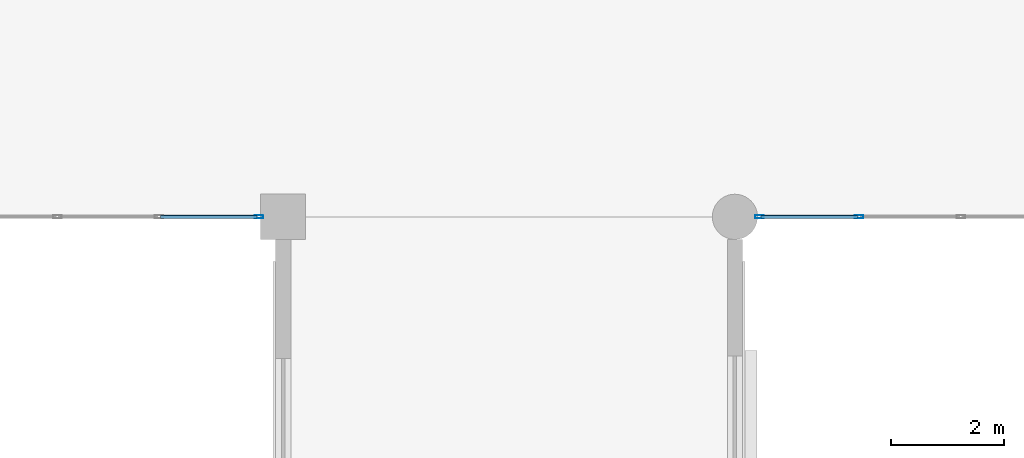
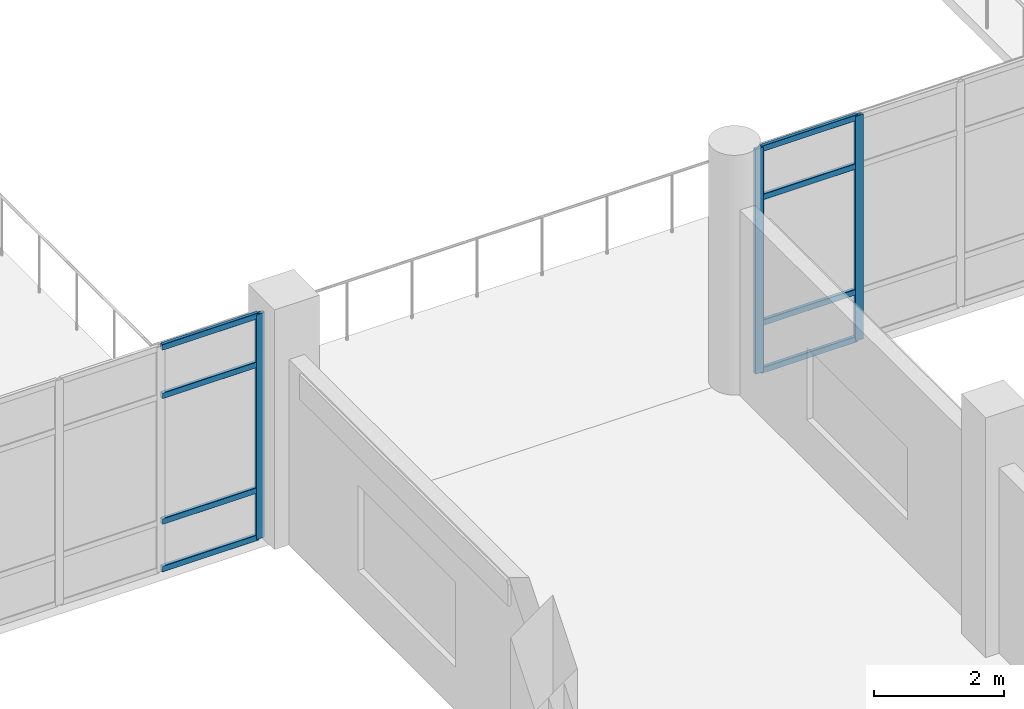
# One storey, part 12 of 42: 11 members, 2 elements without a shape of their own.
"""IFC4 building model written with IfcOpenShell, lengths in metres."""

import ifcopenshell
import ifcopenshell.guid

model = None  # the IFC model being written
_history = None  # IfcOwnerHistory: only IFC2X3 demands one
_inside = {}  # id of a spatial element -> (the spatial element, [elements in it])
_under = {}  # id of a project, library or spatial element -> (it, [spatial elements below it])
_declared = {}  # id of a project -> (the project, [libraries it declares])
_typed = {}  # id of a type object -> (the type object, [elements of that type])
_made_of = {}  # id of a material, layer set ... -> (it, [elements and type objects made of it])


def new_model(schema):
    """Start an empty IFC model of exactly this schema.

    Asked for "IFC4X3", IfcOpenShell would pick the latest addendum, in which some entities
    have other attributes; the version numbers below select the first issue.
    IFC2X3 requires an IfcOwnerHistory on every rooted entity: one is made here for all.
    """
    global model, _history
    if schema == "IFC4X3":
        model = ifcopenshell.file(schema_version=(4, 3, 0, 0))
    else:
        model = ifcopenshell.file(schema=schema)
    _inside.clear()
    _under.clear()
    _declared.clear()
    _typed.clear()
    _made_of.clear()
    _history = None
    if model.schema == "IFC2X3":
        org = make("IfcOrganization", Name="unknown")
        user = make(
            "IfcPersonAndOrganization",
            ThePerson=make("IfcPerson", FamilyName="unknown"),
            TheOrganization=org,
        )
        app = make(
            "IfcApplication",
            ApplicationDeveloper=org,
            Version="unknown",
            ApplicationFullName="unknown",
            ApplicationIdentifier="unknown",
        )
        _history = make(
            "IfcOwnerHistory",
            OwningUser=user,
            OwningApplication=app,
            ChangeAction="ADDED",
            CreationDate=0,
        )
    return model


def make(cls, **values):
    """One entity of the class cls with the attributes given. An attribute that is None is left unset."""
    return model.create_entity(
        cls, **{name: value for name, value in values.items() if value is not None}
    )


def rooted(cls, **values):
    """An entity with a GlobalId (a new one), such as an element, a storey or a relation."""
    return make(cls, GlobalId=ifcopenshell.guid.new(), OwnerHistory=_history, **values)


def si_unit(unit_type, name, prefix=None):
    """IfcSIUnit, for example si_unit("LENGTHUNIT", "METRE", prefix="MILLI")."""
    return make("IfcSIUnit", UnitType=unit_type, Prefix=prefix, Name=name)


def assignment(units):
    """IfcUnitAssignment: the units of a project."""
    return None if units is None else make("IfcUnitAssignment", Units=units)


def point(xyz):
    """IfcCartesianPoint."""
    return None if xyz is None else make("IfcCartesianPoint", Coordinates=xyz)


def direction(xyz):
    """IfcDirection."""
    return None if xyz is None else make("IfcDirection", DirectionRatios=xyz)


def frame(location, z_axis=None, x_axis=None):
    """IfcAxis2Placement3D, a coordinate frame: its origin and axes. An axis left out is left unset."""
    return make(
        "IfcAxis2Placement3D",
        Location=point(location),
        Axis=direction(z_axis),
        RefDirection=direction(x_axis),
    )


def frame_2d(location, x_axis=None):
    """IfcAxis2Placement2D, a coordinate frame in the plane: its origin and x axis."""
    return make(
        "IfcAxis2Placement2D", Location=point(location), RefDirection=direction(x_axis)
    )


def origin():
    """The frame at (0, 0, 0) with its axes left unset."""
    return frame((0.0, 0.0, 0.0))


def origin_2d():
    """The frame at (0, 0) in the plane with its x axis left unset."""
    return frame_2d((0.0, 0.0))


def place(relative_to, where):
    """IfcLocalPlacement: puts the frame where relative to a parent placement (None: the world)."""
    return make(
        "IfcLocalPlacement", PlacementRelTo=relative_to, RelativePlacement=where
    )


def context(
    kind, dimensions, precision=None, world=None, true_north=None, identifier=None
):
    """IfcGeometricRepresentationContext, for example the 3D "Model" context."""
    return make(
        "IfcGeometricRepresentationContext",
        ContextIdentifier=identifier,
        ContextType=kind,
        CoordinateSpaceDimension=dimensions,
        Precision=precision,
        WorldCoordinateSystem=world,
        TrueNorth=true_north,
    )


def subcontext(parent, identifier, kind, view, scale=None):
    """IfcGeometricRepresentationSubContext, for example "Body" below "Model"."""
    return make(
        "IfcGeometricRepresentationSubContext",
        ContextIdentifier=identifier,
        ContextType=kind,
        ParentContext=parent,
        TargetScale=scale,
        TargetView=view,
    )


def project(units=None, contexts=None):
    """IfcProject with its units and contexts."""
    return rooted(
        "IfcProject",
        Name="project",
        RepresentationContexts=contexts,
        UnitsInContext=assignment(units),
    )


def spatial(cls, under=None, at=None, **own):
    """A site, building, storey or space (cls), placed at a placement, below another one or the project."""
    s = rooted(cls, ObjectPlacement=at, **own)
    if under is not None:
        _under.setdefault(under.id(), (under, []))[1].append(s)
    return s


def profile(cls, at=None, kind="AREA", **sizes):
    """A parametric profile (cls). Its sizes go by their IFC names, for example OverallWidth=200.0."""
    return make(cls, ProfileType=kind, Position=at, **sizes)


def hollow_rectangle(**sizes):
    """IfcRectangleHollowProfileDef."""
    return profile("IfcRectangleHollowProfileDef", **sizes)


def extrude(swept, where, along, depth):
    """IfcExtrudedAreaSolid: the profile swept, set in the frame where, extruded along a direction by depth."""
    return make(
        "IfcExtrudedAreaSolid",
        SweptArea=swept,
        Position=where,
        ExtrudedDirection=direction(along),
        Depth=depth,
    )


def shape(context_of_items, identifier, shape_type, items):
    """IfcShapeRepresentation: the items that make up one representation, for example the "Body"."""
    return make(
        "IfcShapeRepresentation",
        ContextOfItems=context_of_items,
        RepresentationIdentifier=identifier,
        RepresentationType=shape_type,
        Items=items,
    )


def material(Name=None, Category=None):
    """IfcMaterial."""
    return make("IfcMaterial", Name=Name, Category=Category)


def material_profile(
    of_material, cross_section, Name=None, Category=None, Priority=None
):
    """IfcMaterialProfile: a cross section and its material."""
    return make(
        "IfcMaterialProfile",
        Name=Name,
        Material=of_material,
        Profile=cross_section,
        Priority=Priority,
        Category=Category,
    )


def profile_set(profiles, Name=None, composite=None):
    """IfcMaterialProfileSet."""
    return make(
        "IfcMaterialProfileSet",
        Name=Name,
        MaterialProfiles=profiles,
        CompositeProfile=composite,
    )


def made_of(thing, what):
    """Note that an element or type object is made of a material, layer set ...; save() writes the relation."""
    if what is not None:
        _made_of.setdefault(what.id(), (what, []))[1].append(thing)
    return thing


def type_object(cls, material=None, **own):
    """A type object (cls), such as IfcWallType, which elements share."""
    return made_of(rooted(cls, **own), material)


def element(
    cls,
    number,
    at=None,
    inside=None,
    cuts=None,
    type_object=None,
    material=None,
    context=None,
    identifier="Body",
    shape_type=None,
    held_by="IfcProductDefinitionShape",
    body=None,
    shapes=None,
    **own,
):
    """One element of the class cls, such as IfcWall. Its Tag is "e" and its number.

    at: its placement. inside: the storey or other place that contains it. cuts: it is an
    opening in that element (IfcRelVoidsElement). A single representation is given by context,
    identifier, shape_type and body (its items); several are given by shapes. held_by: the class
    of the entity that holds the representations. save() writes the other relations.
    """
    e = rooted(cls, Tag="e%d" % number, ObjectPlacement=at, **own)
    if body is not None:
        shapes = [shape(context, identifier, shape_type, body)]
    if shapes is not None:
        e.Representation = make(held_by, Representations=shapes)
    if inside is not None:
        _inside.setdefault(inside.id(), (inside, []))[1].append(e)
    if cuts is not None:
        rooted(
            "IfcRelVoidsElement", RelatingBuildingElement=cuts, RelatedOpeningElement=e
        )
    if type_object is not None:
        _typed.setdefault(type_object.id(), (type_object, []))[1].append(e)
    return made_of(e, material)


def aggregate(whole, parts):
    """IfcRelAggregates: a whole, such as a stair, and the parts it consists of."""
    return rooted("IfcRelAggregates", RelatingObject=whole, RelatedObjects=parts)


def save(model, path):
    """Write the relations noted so far, then the file.

    IfcRelAggregates (storeys below a building ...), IfcRelContainedInSpatialStructure (elements
    in a storey), IfcRelDefinesByType, IfcRelAssociatesMaterial and IfcRelDeclares: one each for
    every whole, place, type object, material and project.
    """
    for whole, parts in _under.values():
        aggregate(whole, parts)
    for where, things in _inside.values():
        rooted(
            "IfcRelContainedInSpatialStructure",
            RelatedElements=things,
            RelatingStructure=where,
        )
    for kind, things in _typed.values():
        rooted("IfcRelDefinesByType", RelatedObjects=things, RelatingType=kind)
    for what, things in _made_of.values():
        rooted("IfcRelAssociatesMaterial", RelatedObjects=things, RelatingMaterial=what)
    for by, libraries in _declared.values():
        rooted("IfcRelDeclares", RelatingContext=by, RelatedDefinitions=libraries)
    model.write(path)


model = new_model("IFC4")

# Units and contexts
model_context = context("Model", 3, precision=1e-05, world=origin(), true_north=direction((0.0, 1.0)))
body_context = subcontext(model_context, "Body", "Model", "MODEL_VIEW")
ifc_project = project(units=[si_unit("LENGTHUNIT", "METRE"), si_unit("AREAUNIT", "SQUARE_METRE"), si_unit("VOLUMEUNIT", "CUBIC_METRE"), si_unit("PLANEANGLEUNIT", "RADIAN"), si_unit("MASSUNIT", "GRAM", prefix="KILO")], contexts=[model_context])

# Site, building, storey
site_placement = place(None, origin())
site = spatial("IfcSite", under=ifc_project, at=site_placement, CompositionType="ELEMENT")
building_placement = place(site_placement, origin())
building = spatial("IfcBuilding", under=site, at=building_placement, Name="Solmirada Galleria", CompositionType="ELEMENT")
storey_placement = place(building_placement, frame((0.0, 0.0, 28.39990234375)))
storey = spatial("IfcBuildingStorey", under=building, at=storey_placement, Name="L06", CompositionType="ELEMENT", Elevation=28.39990234375)

# Curtain wall, member
ifc_material_1 = material(Name="Impact-resistant low-E double glazing", Category="glass")
curtain_wall_type = type_object("IfcCurtainWallType", Name="CW-FZ3-L06-B4-L072", PredefinedType="NOTDEFINED", material=ifc_material_1)
curtain_wall_1_placement = place(storey_placement, origin())
curtain_wall_1 = element("IfcCurtainWall", 1, at=curtain_wall_1_placement, inside=storey, type_object=curtain_wall_type, Name="Terrace and arcade storefront CW-L06-185", PredefinedType="NOTDEFINED")
ifc_material_2 = material(Name="Anodised aluminium framing", Category="aluminium")
ifc_material_profile_1 = material_profile(ifc_material_2, hollow_rectangle(XDim=0.06005859375, YDim=0.14990234375, WallThickness=0.00341796875, InnerFilletRadius=0.00341796875, OuterFilletRadius=0.007080078125, at=origin_2d()), Name="ALU-MULL-150X60")
ifc_profile_set_1 = profile_set([ifc_material_profile_1], Name="Anodised aluminium framing")
member_type_1 = type_object("IfcMemberType", Name="CW-MULL-150", PredefinedType="MULLION", material=ifc_profile_set_1)
member_1_placement = place(storey_placement, frame((87.568115234375, 48.0, 0.0), z_axis=(0.0, 0.0, 1.0), x_axis=(0.0, -1.0, 0.0)))
member_1 = element("IfcMember", 2, at=member_1_placement, type_object=member_type_1, Name="CW38 mullion 1", PredefinedType="MULLION", context=body_context, shape_type="SweptSolid", body=[
    extrude(hollow_rectangle(XDim=0.06005859375, YDim=0.14990234375, WallThickness=0.00341796875, InnerFilletRadius=0.00341796875, OuterFilletRadius=0.007080078125, at=origin_2d()), origin(), (0.0, 0.0, 1.0), 4.22021484375),
])

# Curtain wall, members
curtain_wall_2_placement = place(storey_placement, origin())
curtain_wall_2 = element("IfcCurtainWall", 3, at=curtain_wall_2_placement, inside=storey, type_object=curtain_wall_type, Name="Terrace and arcade storefront CW-L06-197", PredefinedType="NOTDEFINED")
member_2_placement = place(storey_placement, frame((98.200927734375, 48.0, 0.0), z_axis=(0.0, 0.0, 1.0), x_axis=(0.0, -1.0, 0.0)))
member_2 = element("IfcMember", 4, at=member_2_placement, type_object=member_type_1, Name="CW38 mullion 4", PredefinedType="MULLION", context=body_context, shape_type="SweptSolid", body=[
    extrude(hollow_rectangle(XDim=0.06005859375, YDim=0.14990234375, WallThickness=0.00341796875, InnerFilletRadius=0.00341796875, OuterFilletRadius=0.007080078125, at=origin_2d()), origin(), (0.0, 0.0, 1.0), 4.22021484375),
])
member_3_placement = place(storey_placement, frame((96.431884765625, 48.0, 0.0), z_axis=(0.0, 0.0, 1.0), x_axis=(0.0, -1.0, 0.0)))
member_3 = element("IfcMember", 5, at=member_3_placement, type_object=member_type_1, Name="CW38 mullion 5", PredefinedType="MULLION", context=body_context, shape_type="SweptSolid", body=[
    extrude(hollow_rectangle(XDim=0.06005859375, YDim=0.14990234375, WallThickness=0.00341796875, InnerFilletRadius=0.00341796875, OuterFilletRadius=0.007080078125, at=origin_2d()), origin(), (0.0, 0.0, 1.0), 4.22021484375),
])

# Member
ifc_material_profile_2 = material_profile(ifc_material_2, hollow_rectangle(XDim=0.06005859375, YDim=0.110107421875, WallThickness=0.003173828125, InnerFilletRadius=0.003173828125, OuterFilletRadius=0.00634765625, at=origin_2d()), Name="ALU-TRAN-110X60")
ifc_profile_set_2 = profile_set([ifc_material_profile_2], Name="Anodised aluminium framing")
member_type_2 = type_object("IfcMemberType", Name="CW-TRAN-110", PredefinedType="USERDEFINED", material=ifc_profile_set_2)
member_4_placement = place(storey_placement, frame((87.5380859375, 48.0, 0.030029296875), z_axis=(-1.0, 0.0, 0.0), x_axis=(0.0, -1.0, 0.0)))
member_4 = element("IfcMember", 6, at=member_4_placement, type_object=member_type_2, Name="CW38 transom 1.1", ObjectType="TRANSOM", PredefinedType="USERDEFINED", context=body_context, shape_type="SweptSolid", body=[
    extrude(hollow_rectangle(XDim=0.06005859375, YDim=0.110107421875, WallThickness=0.003173828125, InnerFilletRadius=0.003173828125, OuterFilletRadius=0.00634765625, at=origin_2d()), origin(), (0.0, 0.0, 1.0), 1.708984375),
])

member_5_placement = place(storey_placement, frame((87.5380859375, 48.0, 0.920166015625), z_axis=(-1.0, 0.0, 0.0), x_axis=(0.0, -1.0, 0.0)))
member_5 = element("IfcMember", 7, at=member_5_placement, type_object=member_type_2, Name="CW38 transom 1.2", ObjectType="TRANSOM", PredefinedType="USERDEFINED", context=body_context, shape_type="SweptSolid", body=[
    extrude(hollow_rectangle(XDim=0.06005859375, YDim=0.110107421875, WallThickness=0.003173828125, InnerFilletRadius=0.003173828125, OuterFilletRadius=0.00634765625, at=origin_2d()), origin(), (0.0, 0.0, 1.0), 1.708984375),
])

member_6_placement = place(storey_placement, frame((87.5380859375, 48.0, 3.280029296875), z_axis=(-1.0, 0.0, 0.0), x_axis=(0.0, -1.0, 0.0)))
member_6 = element("IfcMember", 8, at=member_6_placement, type_object=member_type_2, Name="CW38 transom 1.3", ObjectType="TRANSOM", PredefinedType="USERDEFINED", context=body_context, shape_type="SweptSolid", body=[
    extrude(hollow_rectangle(XDim=0.06005859375, YDim=0.110107421875, WallThickness=0.003173828125, InnerFilletRadius=0.003173828125, OuterFilletRadius=0.00634765625, at=origin_2d()), origin(), (0.0, 0.0, 1.0), 1.708984375),
])

member_7_placement = place(storey_placement, frame((87.5380859375, 48.0, 4.190185546875), z_axis=(-1.0, 0.0, 0.0), x_axis=(0.0, -1.0, 0.0)))
member_7 = element("IfcMember", 9, at=member_7_placement, type_object=member_type_2, Name="CW38 transom 1.4", ObjectType="TRANSOM", PredefinedType="USERDEFINED", context=body_context, shape_type="SweptSolid", body=[
    extrude(hollow_rectangle(XDim=0.06005859375, YDim=0.110107421875, WallThickness=0.003173828125, InnerFilletRadius=0.003173828125, OuterFilletRadius=0.00634765625, at=origin_2d()), origin(), (0.0, 0.0, 1.0), 1.708984375),
])

aggregate(curtain_wall_1, [member_1, member_4, member_5, member_6, member_7])

member_8_placement = place(storey_placement, frame((98.1708984375, 48.0, 0.030029296875), z_axis=(-1.0, 0.0, 0.0), x_axis=(0.0, -1.0, 0.0)))
member_8 = element("IfcMember", 10, at=member_8_placement, type_object=member_type_2, Name="CW38 transom 4.1", ObjectType="TRANSOM", PredefinedType="USERDEFINED", context=body_context, shape_type="SweptSolid", body=[
    extrude(hollow_rectangle(XDim=0.06005859375, YDim=0.110107421875, WallThickness=0.003173828125, InnerFilletRadius=0.003173828125, OuterFilletRadius=0.00634765625, at=origin_2d()), origin(), (0.0, 0.0, 1.0), 1.708984375),
])

member_9_placement = place(storey_placement, frame((98.1708984375, 48.0, 0.920166015625), z_axis=(-1.0, 0.0, 0.0), x_axis=(0.0, -1.0, 0.0)))
member_9 = element("IfcMember", 11, at=member_9_placement, type_object=member_type_2, Name="CW38 transom 4.2", ObjectType="TRANSOM", PredefinedType="USERDEFINED", context=body_context, shape_type="SweptSolid", body=[
    extrude(hollow_rectangle(XDim=0.06005859375, YDim=0.110107421875, WallThickness=0.003173828125, InnerFilletRadius=0.003173828125, OuterFilletRadius=0.00634765625, at=origin_2d()), origin(), (0.0, 0.0, 1.0), 1.708984375),
])

member_10_placement = place(storey_placement, frame((98.1708984375, 48.0, 3.280029296875), z_axis=(-1.0, 0.0, 0.0), x_axis=(0.0, -1.0, 0.0)))
member_10 = element("IfcMember", 12, at=member_10_placement, type_object=member_type_2, Name="CW38 transom 4.3", ObjectType="TRANSOM", PredefinedType="USERDEFINED", context=body_context, shape_type="SweptSolid", body=[
    extrude(hollow_rectangle(XDim=0.06005859375, YDim=0.110107421875, WallThickness=0.003173828125, InnerFilletRadius=0.003173828125, OuterFilletRadius=0.00634765625, at=origin_2d()), origin(), (0.0, 0.0, 1.0), 1.708984375),
])

member_11_placement = place(storey_placement, frame((98.1708984375, 48.0, 4.190185546875), z_axis=(-1.0, 0.0, 0.0), x_axis=(0.0, -1.0, 0.0)))
member_11 = element("IfcMember", 13, at=member_11_placement, type_object=member_type_2, Name="CW38 transom 4.4", ObjectType="TRANSOM", PredefinedType="USERDEFINED", context=body_context, shape_type="SweptSolid", body=[
    extrude(hollow_rectangle(XDim=0.06005859375, YDim=0.110107421875, WallThickness=0.003173828125, InnerFilletRadius=0.003173828125, OuterFilletRadius=0.00634765625, at=origin_2d()), origin(), (0.0, 0.0, 1.0), 1.708984375),
])

aggregate(curtain_wall_2, [member_2, member_3, member_8, member_9, member_10, member_11])

save(model, "model.ifc")
